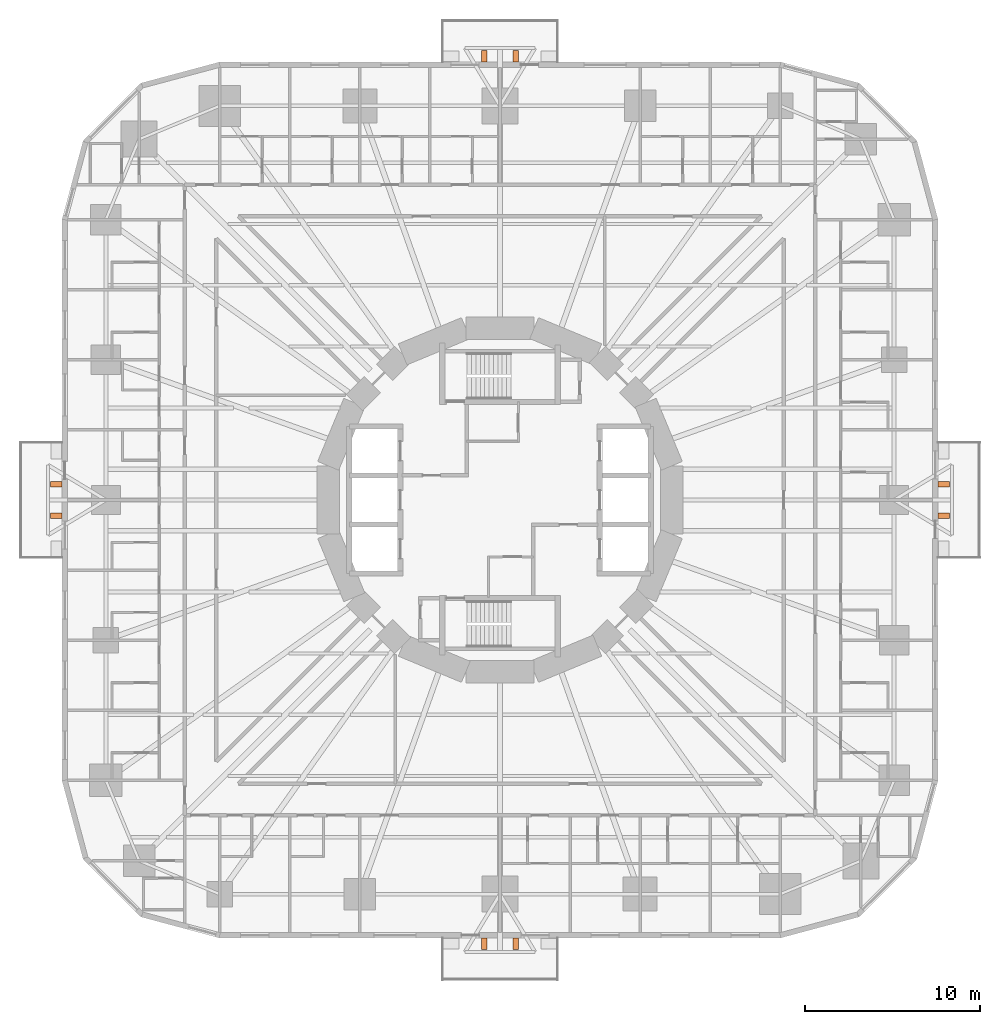
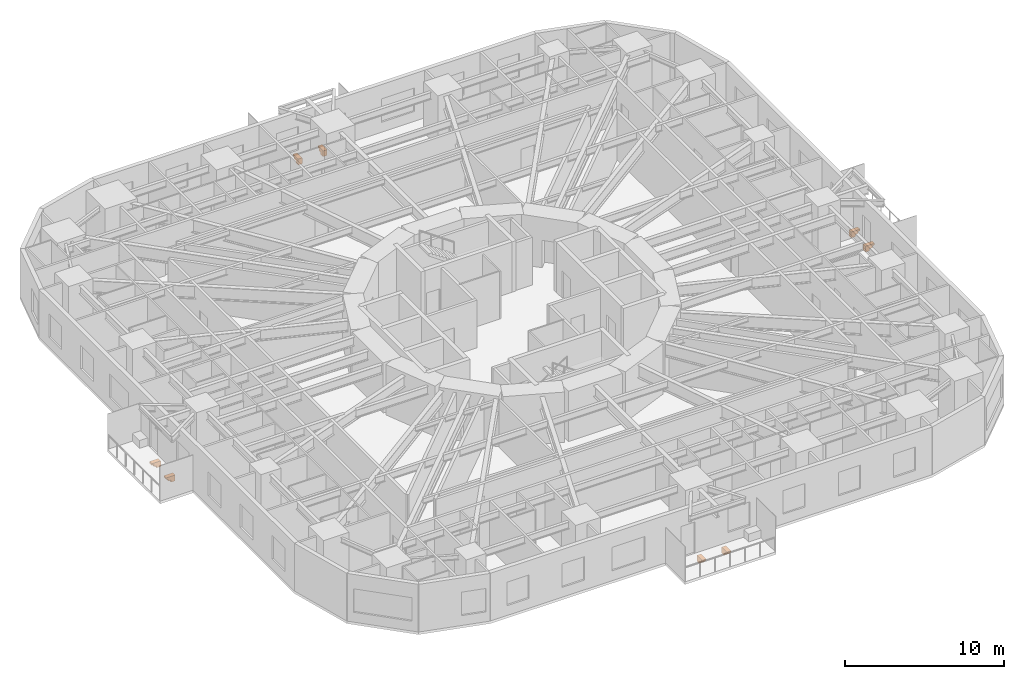
# One storey, part 14 of 14: 8 proxies.
"""IFC4 building model written with IfcOpenShell, lengths in metres."""

from ifc_helpers import new_model, si_unit, direction, frame, origin, place, context, subcontext, project, spatial, polyline, outline, extrude, material, type_object, element, save


model = new_model("IFC4")

# Units and contexts
model_context = context("Model", 3, precision=1e-05, world=origin(), true_north=direction((0.0, 1.0)))
body_context = subcontext(model_context, "Body", "Model", "MODEL_VIEW")
ifc_project = project(units=[si_unit("LENGTHUNIT", "METRE"), si_unit("AREAUNIT", "SQUARE_METRE"), si_unit("VOLUMEUNIT", "CUBIC_METRE"), si_unit("PLANEANGLEUNIT", "RADIAN"), si_unit("MASSUNIT", "GRAM", prefix="KILO")], contexts=[model_context])

# Site, building, storey
site_placement = place(None, origin())
site = spatial("IfcSite", under=ifc_project, at=site_placement, CompositionType="ELEMENT")
building_placement = place(site_placement, origin())
building = spatial("IfcBuilding", under=site, at=building_placement, Name="Nakasero Lantern House", CompositionType="ELEMENT")
storey_placement = place(building_placement, frame((0.0, 0.0, 27.550048828125)))
storey = spatial("IfcBuildingStorey", under=building, at=storey_placement, Name="L06", CompositionType="ELEMENT", Elevation=27.550048828125)

# Proxies
ifc_material = material(Name="Concrete C40/50 precast", Category="concrete")
building_element_proxy_type = type_object("IfcBuildingElementProxyType", Name="Balcony bracket 300", PredefinedType="USERDEFINED", material=ifc_material)
for number, where, z_axis, x_axis, name in (
    (1, (25.0, -0.89990234375, -0.199951171875), (0.0, 0.0, 1.0), (1.0, 0.0, 0.0), "Balcony bracket L06 0A"),
    (2, (25.0, 0.89990234375, -0.199951171875), (0.0, 0.0, 1.0), (1.0, 0.0, 0.0), "Balcony bracket L06 0B"),
    (3, (0.89990234375, 25.0, -0.199951171875), (0.0, 0.0, 1.0), (0.0, 1.0, 0.0), "Balcony bracket L06 1A"),
    (4, (-0.89990234375, 25.0, -0.199951171875), (0.0, 0.0, 1.0), (0.0, 1.0, 0.0), "Balcony bracket L06 1B"),
    (5, (-25.0, 0.89990234375, -0.199951171875), (0.0, 0.0, 1.0), (-1.0, 0.0, 0.0), "Balcony bracket L06 2A"),
    (6, (-25.0, -0.89990234375, -0.199951171875), (0.0, 0.0, 1.0), (-1.0, 0.0, 0.0), "Balcony bracket L06 2B"),
    (7, (-0.89990234375, -25.0, -0.199951171875), (0.0, 0.0, 1.0), (0.0, -1.0, 0.0), "Balcony bracket L06 3A"),
    (8, (0.89990234375, -25.0, -0.199951171875), (0.0, 0.0, 1.0), (0.0, -1.0, 0.0), "Balcony bracket L06 3B"),
):
    element("IfcBuildingElementProxy", number, at=place(storey_placement, frame(where, z_axis=z_axis, x_axis=x_axis)), inside=storey, type_object=building_element_proxy_type, Name=name, ObjectType="BALCONY BRACKET", PredefinedType="USERDEFINED", context=body_context, shape_type="SweptSolid", body=[
        extrude(outline(polyline([(0.0, 0.0), (0.64990234375, 0.0), (0.64990234375, -0.1201171875), (0.5, -0.1201171875), (0.5, -0.280029296875), (0.300048828125, -0.280029296875), (0.300048828125, -0.43994140625), (0.0, -0.43994140625), (0.0, 0.0)])), frame((0.0, 0.14990234375, 0.0), z_axis=(0.0, -1.0, 0.0), x_axis=(1.0, 0.0, 0.0)), (0.0, 0.0, 1.0), 0.300048828125),
    ])

save(model, "model.ifc")
